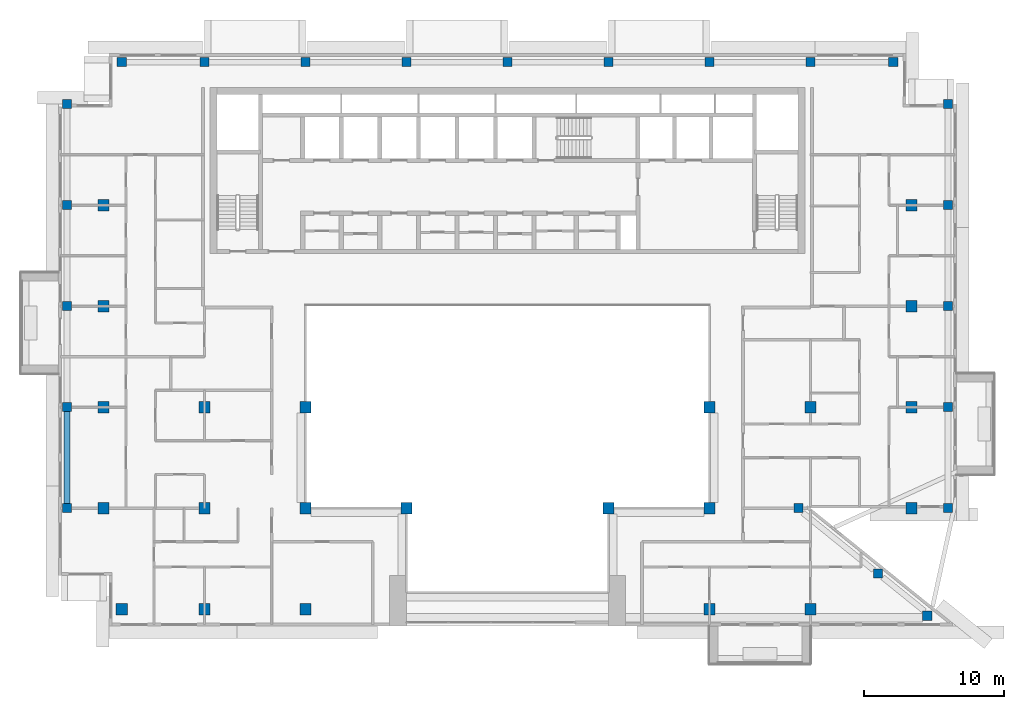
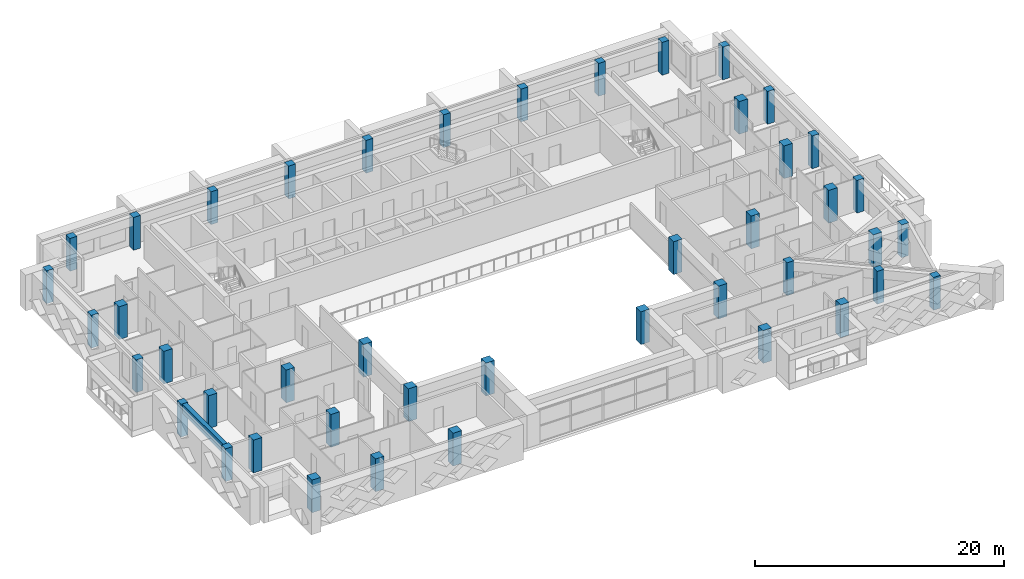
# One storey, part 1 of 19: 44 columns, 1 beam.
"""IFC4 building model written with IfcOpenShell, lengths in metres."""

from ifc_helpers import new_model, si_unit, direction, frame, origin, origin_2d, place, context, subcontext, project, spatial, rectangle, extrude, source, transform, mapped, material, material_profile, profile_set, type_object, element, save


model = new_model("IFC4")

# Units and contexts
model_context = context("Model", 3, precision=1e-05, world=origin(), true_north=direction((0.0, 1.0)))
body_context = subcontext(model_context, "Body", "Model", "MODEL_VIEW")
ifc_project = project(units=[si_unit("LENGTHUNIT", "METRE"), si_unit("AREAUNIT", "SQUARE_METRE"), si_unit("VOLUMEUNIT", "CUBIC_METRE"), si_unit("PLANEANGLEUNIT", "RADIAN"), si_unit("MASSUNIT", "GRAM", prefix="KILO")], contexts=[model_context])

# Site, building, storey
site_placement = place(None, origin())
site = spatial("IfcSite", under=ifc_project, at=site_placement, CompositionType="ELEMENT")
building_placement = place(site_placement, origin())
building = spatial("IfcBuilding", under=site, at=building_placement, Name="Saffron Iwan Residences", CompositionType="ELEMENT")
storey_placement = place(building_placement, frame((0.0, 0.0, 232.5)))
storey = spatial("IfcBuildingStorey", under=building, at=storey_placement, Name="L62", CompositionType="ELEMENT", Elevation=232.5)

# Columns
ifc_material = material(Name="Concrete C40/50", Category="concrete")
ifc_material_profile_1 = material_profile(ifc_material, rectangle(XDim=0.64990234375, YDim=0.64990234375, at=origin_2d()), Name="RC 650x650")
ifc_profile_set_1 = profile_set([ifc_material_profile_1], Name="Concrete C40/50")
column_type_1 = type_object("IfcColumnType", Name="COL RC 650x650 C40/50 3220 HIGH", PredefinedType="COLUMN", material=ifc_profile_set_1)
shared_shape_1 = source(origin(), body_context, "Body", "SweptSolid", [
    extrude(rectangle(XDim=0.64990234375, YDim=0.64990234375, at=origin_2d()), origin(), (0.0, 0.0, 1.0), 3.219970703125),
])
for number, where, z_axis, x_axis, name in (
    (1, (80.32568359375, 40.3330078125, 0.0), (0.0, 0.0, 1.0), (1.0, 0.0, 0.0), "Column C046"),
    (2, (76.822998046875, 43.333251953125, 0.0), (0.0, 0.0, 1.0), (1.0, 0.0, 0.0), "Column C057"),
    (3, (19.0, 48.0, 0.0), (0.0, 0.0, 1.0), (1.0, 0.0, 0.0), "Column C062"),
    (4, (71.14990234375, 48.0, 0.0), (0.0, 0.0, 1.0), (1.0, 0.0, 0.0), "Column C070"),
    (5, (81.800048828125, 48.0, 0.0), (0.0, 0.0, 1.0), (1.0, 0.0, 0.0), "Column C073"),
    (6, (19.0, 55.199951171875, 0.0), (0.0, 0.0, 1.0), (1.0, 0.0, 0.0), "Column C078"),
    (7, (81.800048828125, 55.199951171875, 0.0), (0.0, 0.0, 1.0), (1.0, 0.0, 0.0), "Column C085"),
    (8, (19.0, 62.39990234375, 0.0), (0.0, 0.0, 1.0), (1.0, 0.0, 0.0), "Column C090"),
    (9, (81.800048828125, 62.39990234375, 0.0), (0.0, 0.0, 1.0), (1.0, 0.0, 0.0), "Column C093"),
    (10, (19.0, 69.60009765625, 0.0), (0.0, 0.0, 1.0), (1.0, 0.0, 0.0), "Column C098"),
    (11, (81.800048828125, 69.60009765625, 0.0), (0.0, 0.0, 1.0), (1.0, 0.0, 0.0), "Column C101"),
    (12, (19.0, 76.800048828125, 0.0), (0.0, 0.0, 1.0), (1.0, 0.0, 0.0), "Column C106"),
    (13, (81.800048828125, 76.800048828125, 0.0), (0.0, 0.0, 1.0), (1.0, 0.0, 0.0), "Column C109"),
    (14, (22.89990234375, 79.800048828125, 0.0), (0.0, 0.0, 1.0), (1.0, 0.0, 0.0), "Column C114"),
    (15, (28.800048828125, 79.800048828125, 0.0), (0.0, 0.0, 1.0), (1.0, 0.0, 0.0), "Column C115"),
    (16, (36.0, 79.800048828125, 0.0), (0.0, 0.0, 1.0), (1.0, 0.0, 0.0), "Column C116"),
    (17, (43.199951171875, 79.800048828125, 0.0), (0.0, 0.0, 1.0), (1.0, 0.0, 0.0), "Column C117"),
    (18, (50.39990234375, 79.800048828125, 0.0), (0.0, 0.0, 1.0), (1.0, 0.0, 0.0), "Column C118"),
    (19, (57.60009765625, 79.800048828125, 0.0), (0.0, 0.0, 1.0), (1.0, 0.0, 0.0), "Column C119"),
    (20, (64.800048828125, 79.800048828125, 0.0), (0.0, 0.0, 1.0), (1.0, 0.0, 0.0), "Column C120"),
    (21, (72.0, 79.800048828125, 0.0), (0.0, 0.0, 1.0), (1.0, 0.0, 0.0), "Column C121"),
    (22, (77.89990234375, 79.800048828125, 0.0), (0.0, 0.0, 1.0), (1.0, 0.0, 0.0), "Column C122"),
):
    element("IfcColumn", number, at=place(storey_placement, frame(where, z_axis=z_axis, x_axis=x_axis)), inside=storey, type_object=column_type_1, Name=name, PredefinedType="COLUMN", context=body_context, shape_type="MappedRepresentation", body=[
        mapped(shared_shape_1, transform((0.0, 0.0, 0.0))),
    ])
ifc_material_profile_2 = material_profile(ifc_material, rectangle(XDim=0.800048828125, YDim=0.800048828125, at=origin_2d()), Name="RC 800x800")
ifc_profile_set_2 = profile_set([ifc_material_profile_2], Name="Concrete C40/50")
column_type_2 = type_object("IfcColumnType", Name="COL RC 800x800 C40/50 3220 HIGH", PredefinedType="COLUMN", material=ifc_profile_set_2)
shared_shape_2 = source(origin(), body_context, "Body", "SweptSolid", [
    extrude(rectangle(XDim=0.800048828125, YDim=0.800048828125, at=origin_2d()), origin(), (0.0, 0.0, 1.0), 3.219970703125),
])
for number, where, z_axis, x_axis, name in (
    (23, (22.89990234375, 40.800048828125, 0.0), (0.0, 0.0, 1.0), (1.0, 0.0, 0.0), "Column C050"),
    (24, (28.800048828125, 40.800048828125, 0.0), (0.0, 0.0, 1.0), (1.0, 0.0, 0.0), "Column C051"),
    (25, (36.0, 40.800048828125, 0.0), (0.0, 0.0, 1.0), (1.0, 0.0, 0.0), "Column C052"),
    (26, (64.800048828125, 40.800048828125, 0.0), (0.0, 0.0, 1.0), (1.0, 0.0, 0.0), "Column C055"),
    (27, (72.0, 40.800048828125, 0.0), (0.0, 0.0, 1.0), (1.0, 0.0, 0.0), "Column C056"),
    (28, (21.60009765625, 48.0, 0.0), (0.0, 0.0, 1.0), (1.0, 0.0, 0.0), "Column C063"),
    (29, (28.800048828125, 48.0, 0.0), (0.0, 0.0, 1.0), (1.0, 0.0, 0.0), "Column C064"),
    (30, (36.0, 48.0, 0.0), (0.0, 0.0, 1.0), (1.0, 0.0, 0.0), "Column C065"),
    (31, (43.199951171875, 48.0, 0.0), (0.0, 0.0, 1.0), (1.0, 0.0, 0.0), "Column C066"),
    (32, (57.60009765625, 48.0, 0.0), (0.0, 0.0, 1.0), (1.0, 0.0, 0.0), "Column C068"),
    (33, (64.800048828125, 48.0, 0.0), (0.0, 0.0, 1.0), (1.0, 0.0, 0.0), "Column C069"),
    (34, (79.199951171875, 48.0, 0.0), (0.0, 0.0, 1.0), (1.0, 0.0, 0.0), "Column C072"),
    (35, (21.60009765625, 55.199951171875, 0.0), (0.0, 0.0, 1.0), (1.0, 0.0, 0.0), "Column C079"),
    (36, (28.800048828125, 55.199951171875, 0.0), (0.0, 0.0, 1.0), (1.0, 0.0, 0.0), "Column C080"),
    (37, (36.0, 55.199951171875, 0.0), (0.0, 0.0, 1.0), (1.0, 0.0, 0.0), "Column C081"),
    (38, (64.800048828125, 55.199951171875, 0.0), (0.0, 0.0, 1.0), (1.0, 0.0, 0.0), "Column C082"),
    (39, (72.0, 55.199951171875, 0.0), (0.0, 0.0, 1.0), (1.0, 0.0, 0.0), "Column C083"),
    (40, (79.199951171875, 55.199951171875, 0.0), (0.0, 0.0, 1.0), (1.0, 0.0, 0.0), "Column C084"),
    (41, (21.60009765625, 62.39990234375, 0.0), (0.0, 0.0, 1.0), (1.0, 0.0, 0.0), "Column C091"),
    (42, (79.199951171875, 62.39990234375, 0.0), (0.0, 0.0, 1.0), (1.0, 0.0, 0.0), "Column C092"),
    (43, (21.60009765625, 69.60009765625, 0.0), (0.0, 0.0, 1.0), (1.0, 0.0, 0.0), "Column C099"),
    (44, (79.199951171875, 69.60009765625, 0.0), (0.0, 0.0, 1.0), (1.0, 0.0, 0.0), "Column C100"),
):
    element("IfcColumn", number, at=place(storey_placement, frame(where, z_axis=z_axis, x_axis=x_axis)), inside=storey, type_object=column_type_2, Name=name, PredefinedType="COLUMN", context=body_context, shape_type="MappedRepresentation", body=[
        mapped(shared_shape_2, transform((0.0, 0.0, 0.0))),
    ])

# Beam
ifc_material_profile_3 = material_profile(ifc_material, rectangle(XDim=0.39990234375, YDim=0.89990234375, at=origin_2d()), Name="RC 400x900")
ifc_profile_set_3 = profile_set([ifc_material_profile_3], Name="Concrete C40/50")
beam_type = type_object("IfcBeamType", Name="SPANDREL BEAM RC 400x900 C40/50 TOP 3220", PredefinedType="SPANDREL", material=ifc_profile_set_3)
shared_shape_3 = source(origin(), body_context, "Body", "SweptSolid", [
    extrude(rectangle(XDim=0.39990234375, YDim=0.89990234375, at=origin_2d()), origin(), (0.0, 0.0, 1.0), 6.550048828125),
])
beam_placement = place(storey_placement, frame((19.0, 48.324951171875, 2.77001953125), z_axis=(0.0, 1.0, 0.0), x_axis=(-1.0, 0.0, 0.0)))
element("IfcBeam", 45, at=beam_placement, inside=storey, type_object=beam_type, Name="Spandrel beam", PredefinedType="SPANDREL", context=body_context, shape_type="MappedRepresentation", body=[
    mapped(shared_shape_3, transform((0.0, 0.0, 0.0))),
])

save(model, "model.ifc")
